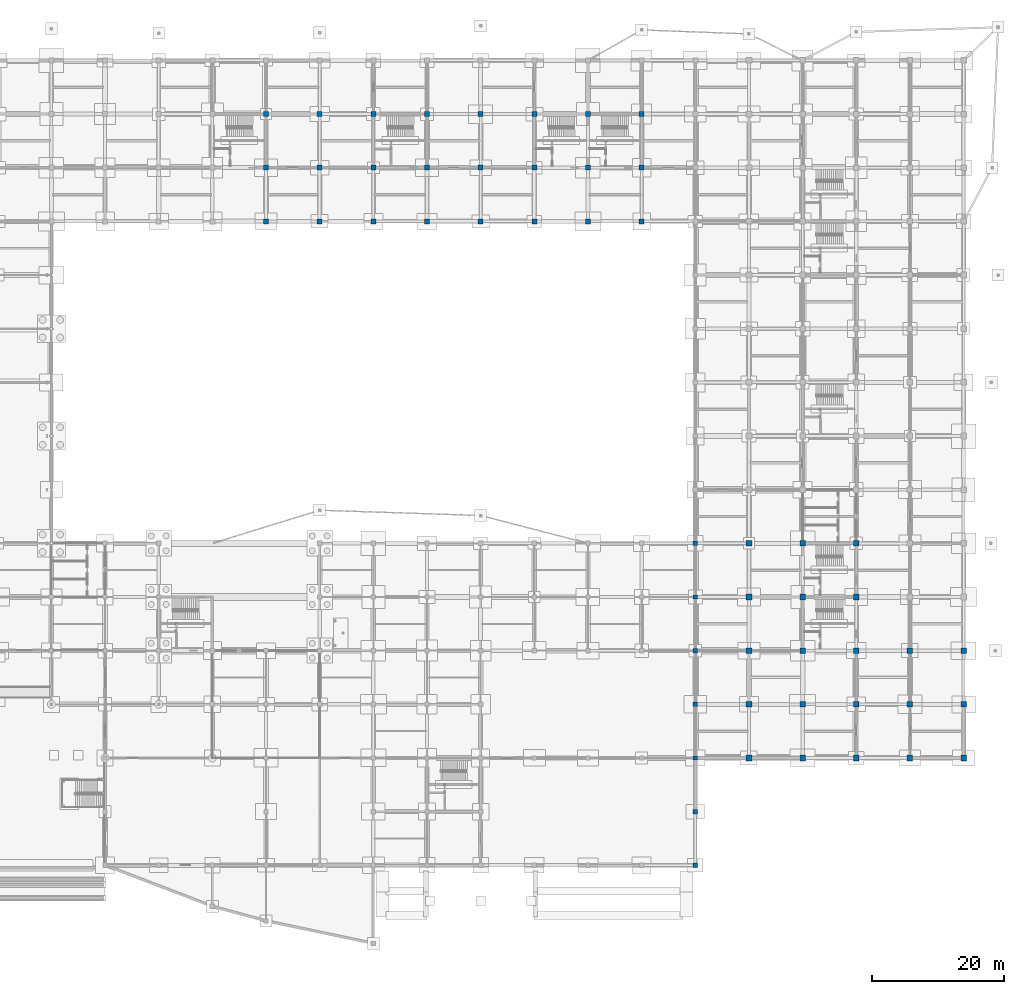
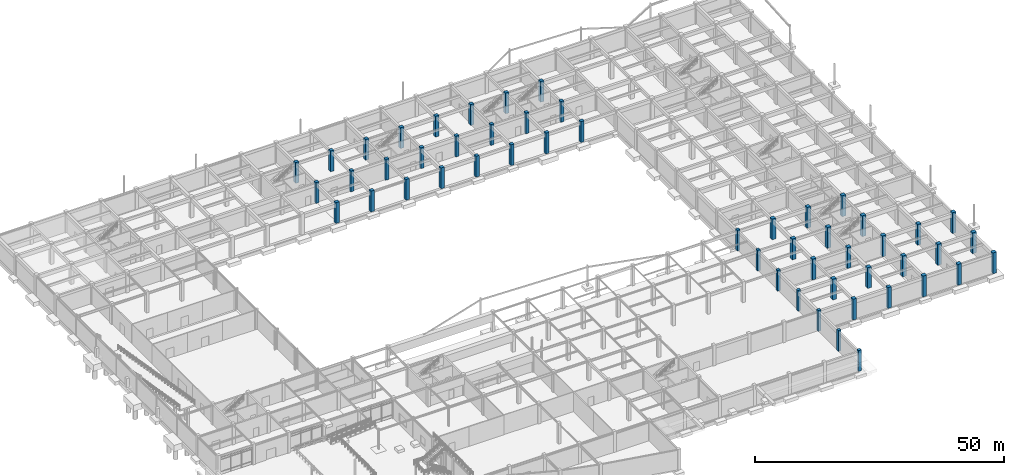
# One storey, part 23 of 67: 52 columns.
"""IFC4 building model written with IfcOpenShell, lengths in metres."""

from ifc_helpers import new_model, si_unit, direction, frame, origin, origin_2d, place, context, subcontext, project, spatial, rectangle, extrude, material, material_profile, profile_set, type_object, element, save


model = new_model("IFC4")

# Units and contexts
model_context = context("Model", 3, precision=1e-05, world=origin(), true_north=direction((0.0, 1.0)))
body_context = subcontext(model_context, "Body", "Model", "MODEL_VIEW")
ifc_project = project(units=[si_unit("LENGTHUNIT", "METRE"), si_unit("AREAUNIT", "SQUARE_METRE"), si_unit("VOLUMEUNIT", "CUBIC_METRE"), si_unit("PLANEANGLEUNIT", "RADIAN"), si_unit("MASSUNIT", "GRAM", prefix="KILO")], contexts=[model_context])

# Site, building, storey
site_placement = place(None, origin())
site = spatial("IfcSite", under=ifc_project, at=site_placement, CompositionType="ELEMENT")
building_placement = place(site_placement, origin())
building = spatial("IfcBuilding", under=site, at=building_placement, Name="Vaudrelin Polytechnic", CompositionType="ELEMENT")
storey_placement = place(building_placement, frame((0.0, 0.0, -5.10009765625)))
storey = spatial("IfcBuildingStorey", under=building, at=storey_placement, Name="B1", CompositionType="ELEMENT", Elevation=-5.10009765625)

# Columns
ifc_material_1 = material(Name="Concrete 40 MPa", Category="concrete")
ifc_material_profile_1 = material_profile(ifc_material_1, rectangle(XDim=0.64990234375, YDim=0.64990234375, at=origin_2d()), Name="RC650x650")
ifc_profile_set_1 = profile_set([ifc_material_profile_1], Name="Concrete 40 MPa")
column_type_1 = type_object("IfcColumnType", Name="COL-C-RC650", PredefinedType="COLUMN", material=ifc_profile_set_1)
for number, where, z_axis, x_axis, name in (
    (1, (129.60009765625, 0.0, 0.0), (0.0, 0.0, 1.0), (1.0, 0.0, 0.0), "Column B1 17-1"),
    (2, (129.60009765625, 8.10009765625, 0.0), (0.0, 0.0, 1.0), (1.0, 0.0, 0.0), "Column B1 17-2"),
    (3, (129.60009765625, 16.199951171875, 0.0), (0.0, 0.0, 1.0), (1.0, 0.0, 0.0), "Column B1 17-3"),
    (4, (129.60009765625, 24.300048828125, 0.0), (0.0, 0.0, 1.0), (1.0, 0.0, 0.0), "Column B1 17-4"),
    (5, (129.60009765625, 32.39990234375, 0.0), (0.0, 0.0, 1.0), (1.0, 0.0, 0.0), "Column B1 17-5"),
    (6, (129.60009765625, 40.5, 0.0), (0.0, 0.0, 1.0), (1.0, 0.0, 0.0), "Column B1 17-6"),
    (7, (129.60009765625, 48.60009765625, 0.0), (0.0, 0.0, 1.0), (1.0, 0.0, 0.0), "Column B1 17-7"),
):
    element("IfcColumn", number, at=place(storey_placement, frame(where, z_axis=z_axis, x_axis=x_axis)), inside=storey, type_object=column_type_1, Name=name, PredefinedType="COLUMN", context=body_context, shape_type="SweptSolid", body=[
        extrude(rectangle(XDim=0.64990234375, YDim=0.64990234375, at=origin_2d()), origin(), (0.0, 0.0, 1.0), 5.10009765625),
    ])
ifc_material_2 = material(Name="Concrete 50 MPa", Category="concrete")
ifc_material_profile_2 = material_profile(ifc_material_2, rectangle(XDim=0.75, YDim=0.75, at=origin_2d()), Name="RC750x750")
ifc_profile_set_2 = profile_set([ifc_material_profile_2], Name="Concrete 50 MPa")
column_type_2 = type_object("IfcColumnType", Name="COL-C-RC750", PredefinedType="COLUMN", material=ifc_profile_set_2)
for number, where, z_axis, x_axis, name in (
    (8, (64.800048828125, 97.199951171875, 0.0), (0.0, 0.0, 1.0), (1.0, 0.0, 0.0), "Column B1 9-13"),
    (9, (64.800048828125, 105.300048828125, 0.0), (0.0, 0.0, 1.0), (1.0, 0.0, 0.0), "Column B1 9-14"),
    (10, (64.800048828125, 113.39990234375, 0.0), (0.0, 0.0, 1.0), (1.0, 0.0, 0.0), "Column B1 9-15"),
    (11, (72.89990234375, 97.199951171875, 0.0), (0.0, 0.0, 1.0), (1.0, 0.0, 0.0), "Column B1 10-13"),
    (12, (72.89990234375, 105.300048828125, 0.0), (0.0, 0.0, 1.0), (1.0, 0.0, 0.0), "Column B1 10-14"),
    (13, (72.89990234375, 113.39990234375, 0.0), (0.0, 0.0, 1.0), (1.0, 0.0, 0.0), "Column B1 10-15"),
    (14, (81.0, 97.199951171875, 0.0), (0.0, 0.0, 1.0), (1.0, 0.0, 0.0), "Column B1 11-13"),
    (15, (81.0, 105.300048828125, 0.0), (0.0, 0.0, 1.0), (1.0, 0.0, 0.0), "Column B1 11-14"),
    (16, (81.0, 113.39990234375, 0.0), (0.0, 0.0, 1.0), (1.0, 0.0, 0.0), "Column B1 11-15"),
    (17, (89.10009765625, 97.199951171875, 0.0), (0.0, 0.0, 1.0), (1.0, 0.0, 0.0), "Column B1 12-13"),
    (18, (89.10009765625, 105.300048828125, 0.0), (0.0, 0.0, 1.0), (1.0, 0.0, 0.0), "Column B1 12-14"),
    (19, (89.10009765625, 113.39990234375, 0.0), (0.0, 0.0, 1.0), (1.0, 0.0, 0.0), "Column B1 12-15"),
    (20, (97.199951171875, 97.199951171875, 0.0), (0.0, 0.0, 1.0), (1.0, 0.0, 0.0), "Column B1 13-13"),
    (21, (97.199951171875, 105.300048828125, 0.0), (0.0, 0.0, 1.0), (1.0, 0.0, 0.0), "Column B1 13-14"),
    (22, (97.199951171875, 113.39990234375, 0.0), (0.0, 0.0, 1.0), (1.0, 0.0, 0.0), "Column B1 13-15"),
    (23, (105.300048828125, 97.199951171875, 0.0), (0.0, 0.0, 1.0), (1.0, 0.0, 0.0), "Column B1 14-13"),
    (24, (105.300048828125, 105.300048828125, 0.0), (0.0, 0.0, 1.0), (1.0, 0.0, 0.0), "Column B1 14-14"),
    (25, (105.300048828125, 113.39990234375, 0.0), (0.0, 0.0, 1.0), (1.0, 0.0, 0.0), "Column B1 14-15"),
    (26, (113.39990234375, 97.199951171875, 0.0), (0.0, 0.0, 1.0), (1.0, 0.0, 0.0), "Column B1 15-13"),
    (27, (113.39990234375, 105.300048828125, 0.0), (0.0, 0.0, 1.0), (1.0, 0.0, 0.0), "Column B1 15-14"),
    (28, (113.39990234375, 113.39990234375, 0.0), (0.0, 0.0, 1.0), (1.0, 0.0, 0.0), "Column B1 15-15"),
    (29, (121.5, 97.199951171875, 0.0), (0.0, 0.0, 1.0), (1.0, 0.0, 0.0), "Column B1 16-13"),
    (30, (121.5, 105.300048828125, 0.0), (0.0, 0.0, 1.0), (1.0, 0.0, 0.0), "Column B1 16-14"),
    (31, (121.5, 113.39990234375, 0.0), (0.0, 0.0, 1.0), (1.0, 0.0, 0.0), "Column B1 16-15"),
):
    element("IfcColumn", number, at=place(storey_placement, frame(where, z_axis=z_axis, x_axis=x_axis)), inside=storey, type_object=column_type_2, Name=name, PredefinedType="COLUMN", context=body_context, shape_type="SweptSolid", body=[
        extrude(rectangle(XDim=0.75, YDim=0.75, at=origin_2d()), origin(), (0.0, 0.0, 1.0), 5.10009765625),
    ])
ifc_material_profile_3 = material_profile(ifc_material_2, rectangle(XDim=0.85009765625, YDim=0.85009765625, at=origin_2d()), Name="RC850x850")
ifc_profile_set_3 = profile_set([ifc_material_profile_3], Name="Concrete 50 MPa")
column_type_3 = type_object("IfcColumnType", Name="COL-C-RC850", PredefinedType="COLUMN", material=ifc_profile_set_3)
for number, where, z_axis, x_axis, name in (
    (32, (137.699951171875, 16.199951171875, 0.0), (0.0, 0.0, 1.0), (1.0, 0.0, 0.0), "Column B1 18-3"),
    (33, (137.699951171875, 24.300048828125, 0.0), (0.0, 0.0, 1.0), (1.0, 0.0, 0.0), "Column B1 18-4"),
    (34, (137.699951171875, 32.39990234375, 0.0), (0.0, 0.0, 1.0), (1.0, 0.0, 0.0), "Column B1 18-5"),
    (35, (137.699951171875, 40.5, 0.0), (0.0, 0.0, 1.0), (1.0, 0.0, 0.0), "Column B1 18-6"),
    (36, (137.699951171875, 48.60009765625, 0.0), (0.0, 0.0, 1.0), (1.0, 0.0, 0.0), "Column B1 18-7"),
    (37, (145.800048828125, 16.199951171875, 0.0), (0.0, 0.0, 1.0), (1.0, 0.0, 0.0), "Column B1 19-3"),
    (38, (145.800048828125, 24.300048828125, 0.0), (0.0, 0.0, 1.0), (1.0, 0.0, 0.0), "Column B1 19-4"),
    (39, (145.800048828125, 32.39990234375, 0.0), (0.0, 0.0, 1.0), (1.0, 0.0, 0.0), "Column B1 19-5"),
    (40, (145.800048828125, 40.5, 0.0), (0.0, 0.0, 1.0), (1.0, 0.0, 0.0), "Column B1 19-6"),
    (41, (145.800048828125, 48.60009765625, 0.0), (0.0, 0.0, 1.0), (1.0, 0.0, 0.0), "Column B1 19-7"),
    (42, (153.89990234375, 16.199951171875, 0.0), (0.0, 0.0, 1.0), (1.0, 0.0, 0.0), "Column B1 20-3"),
    (43, (153.89990234375, 24.300048828125, 0.0), (0.0, 0.0, 1.0), (1.0, 0.0, 0.0), "Column B1 20-4"),
    (44, (153.89990234375, 32.39990234375, 0.0), (0.0, 0.0, 1.0), (1.0, 0.0, 0.0), "Column B1 20-5"),
    (45, (153.89990234375, 40.5, 0.0), (0.0, 0.0, 1.0), (1.0, 0.0, 0.0), "Column B1 20-6"),
    (46, (153.89990234375, 48.60009765625, 0.0), (0.0, 0.0, 1.0), (1.0, 0.0, 0.0), "Column B1 20-7"),
    (47, (162.0, 16.199951171875, 0.0), (0.0, 0.0, 1.0), (1.0, 0.0, 0.0), "Column B1 21-3"),
    (48, (162.0, 24.300048828125, 0.0), (0.0, 0.0, 1.0), (1.0, 0.0, 0.0), "Column B1 21-4"),
    (49, (162.0, 32.39990234375, 0.0), (0.0, 0.0, 1.0), (1.0, 0.0, 0.0), "Column B1 21-5"),
    (50, (170.10009765625, 16.199951171875, 0.0), (0.0, 0.0, 1.0), (1.0, 0.0, 0.0), "Column B1 22-3"),
    (51, (170.10009765625, 24.300048828125, 0.0), (0.0, 0.0, 1.0), (1.0, 0.0, 0.0), "Column B1 22-4"),
    (52, (170.10009765625, 32.39990234375, 0.0), (0.0, 0.0, 1.0), (1.0, 0.0, 0.0), "Column B1 22-5"),
):
    element("IfcColumn", number, at=place(storey_placement, frame(where, z_axis=z_axis, x_axis=x_axis)), inside=storey, type_object=column_type_3, Name=name, PredefinedType="COLUMN", context=body_context, shape_type="SweptSolid", body=[
        extrude(rectangle(XDim=0.85009765625, YDim=0.85009765625, at=origin_2d()), origin(), (0.0, 0.0, 1.0), 5.10009765625),
    ])

save(model, "model.ifc")
